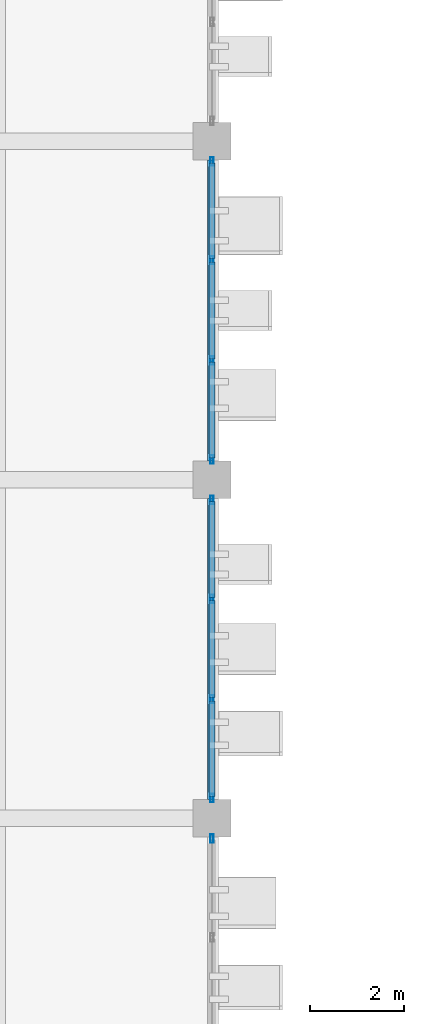
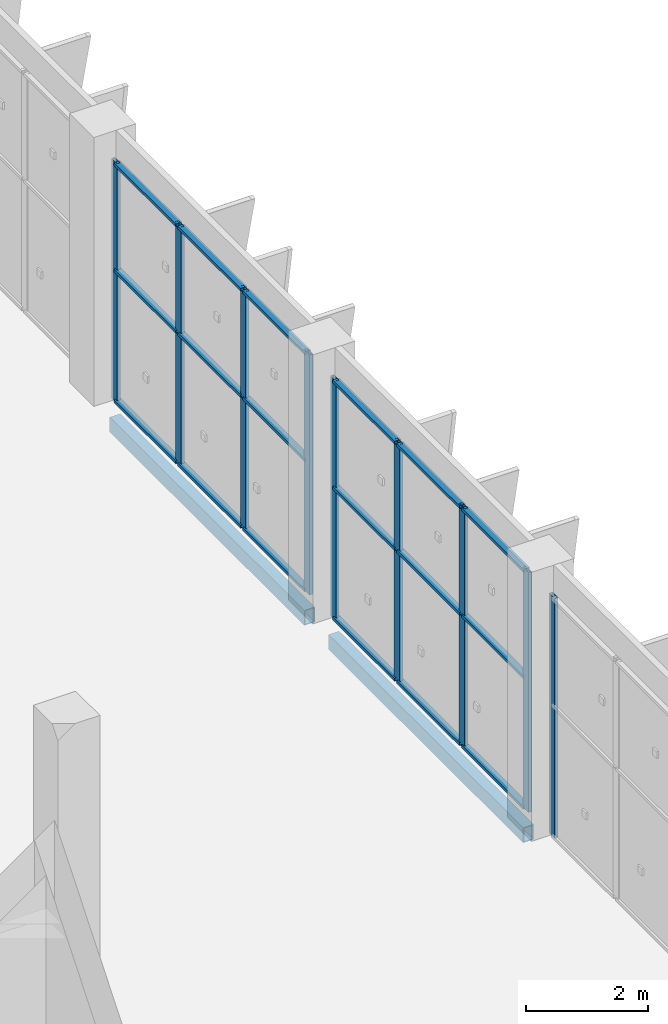
# One storey, part 54 of 137: 27 members, 2 beams, 3 elements without a shape of their own.
"""IFC4 building model written with IfcOpenShell, lengths in metres."""

from ifc_helpers import new_model, si_unit, direction, frame, origin, origin_2d, place, context, subcontext, project, spatial, hollow_rectangle, extrude, material, layer, layer_set, material_profile, profile_set, type_object, element, aggregate, save


model = new_model("IFC4")

# Units and contexts
model_context = context("Model", 3, precision=1e-05, world=origin(), true_north=direction((0.0, 1.0)))
body_context = subcontext(model_context, "Body", "Model", "MODEL_VIEW")
ifc_project = project(units=[si_unit("LENGTHUNIT", "METRE"), si_unit("AREAUNIT", "SQUARE_METRE"), si_unit("VOLUMEUNIT", "CUBIC_METRE"), si_unit("PLANEANGLEUNIT", "RADIAN"), si_unit("MASSUNIT", "GRAM", prefix="KILO")], contexts=[model_context])

# Site, building, storey
site_placement = place(None, origin())
site = spatial("IfcSite", under=ifc_project, at=site_placement, CompositionType="ELEMENT")
building_placement = place(site_placement, origin())
building = spatial("IfcBuilding", under=site, at=building_placement, Name="Celestram Park Convention Centre", CompositionType="ELEMENT")
storey_placement = place(building_placement, origin())
storey = spatial("IfcBuildingStorey", under=building, at=storey_placement, Name="L00", CompositionType="ELEMENT", Elevation=0.0)

# Curtain wall, members
ifc_material_1 = material(Name="Anodised Aluminium Alloy 6063-T6", Category="aluminium")
ifc_layer = layer(ifc_material_1, 0.179931640625)
ifc_layer_set = layer_set([ifc_layer], Name="Anodised Aluminium Alloy 6063-T6")
curtain_wall_type = type_object("IfcCurtainWallType", Name="ARC-CW-640X482", PredefinedType="NOTDEFINED", material=ifc_layer_set)
curtain_wall_1_placement = place(storey_placement, origin())
curtain_wall_1 = element("IfcCurtainWall", 1, at=curtain_wall_1_placement, inside=storey, type_object=curtain_wall_type, Name="Unitised curtain wall CU-L00-012", PredefinedType="NOTDEFINED")
ifc_material_profile_1 = material_profile(ifc_material_1, hollow_rectangle(XDim=0.06494140625, YDim=0.179931640625, WallThickness=0.00390625, at=origin_2d()), Name="ALU65X180X4")
ifc_profile_set_1 = profile_set([ifc_material_profile_1], Name="Anodised Aluminium Alloy 6063-T6")
member_type_1 = type_object("IfcMemberType", Name="ARC-CWM-150", PredefinedType="MULLION", material=ifc_profile_set_1)
member_1_placement = place(storey_placement, frame((144.0, 78.76953125, 0.0), z_axis=(0.0, 0.0, 1.0), x_axis=(1.0, 0.0, 0.0)))
member_1 = element("IfcMember", 2, at=member_1_placement, type_object=member_type_1, Name="CW-64X48 mullion 1", PredefinedType="MULLION", context=body_context, shape_type="SweptSolid", body=[
    extrude(hollow_rectangle(XDim=0.06494140625, YDim=0.179931640625, WallThickness=0.00390625, at=origin_2d()), origin(), (0.0, 0.0, 1.0), 4.820068359375),
])
member_2_placement = place(storey_placement, frame((144.0, 76.667236328125, 0.0), z_axis=(0.0, 0.0, 1.0), x_axis=(1.0, 0.0, 0.0)))
member_2 = element("IfcMember", 3, at=member_2_placement, type_object=member_type_1, Name="CW-64X48 mullion 2", PredefinedType="MULLION", context=body_context, shape_type="SweptSolid", body=[
    extrude(hollow_rectangle(XDim=0.06494140625, YDim=0.179931640625, WallThickness=0.00390625, at=origin_2d()), origin(), (0.0, 0.0, 1.0), 4.820068359375),
])
member_3_placement = place(storey_placement, frame((144.0, 74.53271484375, 0.0), z_axis=(0.0, 0.0, 1.0), x_axis=(1.0, 0.0, 0.0)))
member_3 = element("IfcMember", 4, at=member_3_placement, type_object=member_type_1, Name="CW-64X48 mullion 3", PredefinedType="MULLION", context=body_context, shape_type="SweptSolid", body=[
    extrude(hollow_rectangle(XDim=0.06494140625, YDim=0.179931640625, WallThickness=0.00390625, at=origin_2d()), origin(), (0.0, 0.0, 1.0), 4.820068359375),
])
member_4_placement = place(storey_placement, frame((144.0, 72.430419921875, 0.0), z_axis=(0.0, 0.0, 1.0), x_axis=(1.0, 0.0, 0.0)))
member_4 = element("IfcMember", 5, at=member_4_placement, type_object=member_type_1, Name="CW-64X48 mullion 4", PredefinedType="MULLION", context=body_context, shape_type="SweptSolid", body=[
    extrude(hollow_rectangle(XDim=0.06494140625, YDim=0.179931640625, WallThickness=0.00390625, at=origin_2d()), origin(), (0.0, 0.0, 1.0), 4.820068359375),
])

curtain_wall_2_placement = place(storey_placement, origin())
curtain_wall_2 = element("IfcCurtainWall", 6, at=curtain_wall_2_placement, inside=storey, type_object=curtain_wall_type, Name="Unitised curtain wall CU-L00-013", PredefinedType="NOTDEFINED")
member_5_placement = place(storey_placement, frame((144.0, 71.569580078125, 0.0), z_axis=(0.0, 0.0, 1.0), x_axis=(1.0, 0.0, 0.0)))
member_5 = element("IfcMember", 7, at=member_5_placement, type_object=member_type_1, Name="CW-64X48 mullion 1", PredefinedType="MULLION", context=body_context, shape_type="SweptSolid", body=[
    extrude(hollow_rectangle(XDim=0.06494140625, YDim=0.179931640625, WallThickness=0.00390625, at=origin_2d()), origin(), (0.0, 0.0, 1.0), 4.820068359375),
])
member_6_placement = place(storey_placement, frame((144.0, 69.46728515625, 0.0), z_axis=(0.0, 0.0, 1.0), x_axis=(1.0, 0.0, 0.0)))
member_6 = element("IfcMember", 8, at=member_6_placement, type_object=member_type_1, Name="CW-64X48 mullion 2", PredefinedType="MULLION", context=body_context, shape_type="SweptSolid", body=[
    extrude(hollow_rectangle(XDim=0.06494140625, YDim=0.179931640625, WallThickness=0.00390625, at=origin_2d()), origin(), (0.0, 0.0, 1.0), 4.820068359375),
])
member_7_placement = place(storey_placement, frame((144.0, 67.332763671875, 0.0), z_axis=(0.0, 0.0, 1.0), x_axis=(1.0, 0.0, 0.0)))
member_7 = element("IfcMember", 9, at=member_7_placement, type_object=member_type_1, Name="CW-64X48 mullion 3", PredefinedType="MULLION", context=body_context, shape_type="SweptSolid", body=[
    extrude(hollow_rectangle(XDim=0.06494140625, YDim=0.179931640625, WallThickness=0.00390625, at=origin_2d()), origin(), (0.0, 0.0, 1.0), 4.820068359375),
])
member_8_placement = place(storey_placement, frame((144.0, 65.23046875, 0.0), z_axis=(0.0, 0.0, 1.0), x_axis=(1.0, 0.0, 0.0)))
member_8 = element("IfcMember", 10, at=member_8_placement, type_object=member_type_1, Name="CW-64X48 mullion 4", PredefinedType="MULLION", context=body_context, shape_type="SweptSolid", body=[
    extrude(hollow_rectangle(XDim=0.06494140625, YDim=0.179931640625, WallThickness=0.00390625, at=origin_2d()), origin(), (0.0, 0.0, 1.0), 4.820068359375),
])

# Curtain wall, member
curtain_wall_3_placement = place(storey_placement, origin())
curtain_wall_3 = element("IfcCurtainWall", 11, at=curtain_wall_3_placement, inside=storey, type_object=curtain_wall_type, Name="Unitised curtain wall CU-L00-014", PredefinedType="NOTDEFINED")
member_9_placement = place(storey_placement, frame((144.0, 64.369384765625, 0.0), z_axis=(0.0, 0.0, 1.0), x_axis=(1.0, 0.0, 0.0)))
member_9 = element("IfcMember", 12, at=member_9_placement, type_object=member_type_1, Name="CW-64X48 mullion 1", PredefinedType="MULLION", context=body_context, shape_type="SweptSolid", body=[
    extrude(hollow_rectangle(XDim=0.06494140625, YDim=0.179931640625, WallThickness=0.00390625, at=origin_2d()), origin(), (0.0, 0.0, 1.0), 4.820068359375),
])
aggregate(curtain_wall_3, [member_9])

# Member
ifc_material_profile_2 = material_profile(ifc_material_1, hollow_rectangle(XDim=0.1201171875, YDim=0.06005859375, WallThickness=0.0029296875, at=origin_2d()), Name="ALU120X60X3")
ifc_profile_set_2 = profile_set([ifc_material_profile_2], Name="Anodised Aluminium Alloy 6063-T6")
member_type_2 = type_object("IfcMemberType", Name="ARC-CWT-120", PredefinedType="USERDEFINED", material=ifc_profile_set_2)
member_10_placement = place(storey_placement, frame((144.0, 78.737060546875, 0.030029296875), z_axis=(0.0, -1.0, 0.0), x_axis=(1.0, 0.0, 0.0)))
member_10 = element("IfcMember", 13, at=member_10_placement, type_object=member_type_2, Name="CW-64X48 transom 1.1", ObjectType="TRANSOM", PredefinedType="USERDEFINED", context=body_context, shape_type="SweptSolid", body=[
    extrude(hollow_rectangle(XDim=0.1201171875, YDim=0.06005859375, WallThickness=0.0029296875, at=origin_2d()), origin(), (0.0, 0.0, 1.0), 2.037109375),
])

member_11_placement = place(storey_placement, frame((144.0, 78.737060546875, 2.64990234375), z_axis=(0.0, -1.0, 0.0), x_axis=(1.0, 0.0, 0.0)))
member_11 = element("IfcMember", 14, at=member_11_placement, type_object=member_type_2, Name="CW-64X48 transom 1.2", ObjectType="TRANSOM", PredefinedType="USERDEFINED", context=body_context, shape_type="SweptSolid", body=[
    extrude(hollow_rectangle(XDim=0.1201171875, YDim=0.06005859375, WallThickness=0.0029296875, at=origin_2d()), origin(), (0.0, 0.0, 1.0), 2.037109375),
])

member_12_placement = place(storey_placement, frame((144.0, 78.737060546875, 4.7900390625), z_axis=(0.0, -1.0, 0.0), x_axis=(1.0, 0.0, 0.0)))
member_12 = element("IfcMember", 15, at=member_12_placement, type_object=member_type_2, Name="CW-64X48 transom 1.3", ObjectType="TRANSOM", PredefinedType="USERDEFINED", context=body_context, shape_type="SweptSolid", body=[
    extrude(hollow_rectangle(XDim=0.1201171875, YDim=0.06005859375, WallThickness=0.0029296875, at=origin_2d()), origin(), (0.0, 0.0, 1.0), 2.037109375),
])

member_13_placement = place(storey_placement, frame((144.0, 76.634765625, 0.030029296875), z_axis=(0.0, -1.0, 0.0), x_axis=(1.0, 0.0, 0.0)))
member_13 = element("IfcMember", 16, at=member_13_placement, type_object=member_type_2, Name="CW-64X48 transom 2.1", ObjectType="TRANSOM", PredefinedType="USERDEFINED", context=body_context, shape_type="SweptSolid", body=[
    extrude(hollow_rectangle(XDim=0.1201171875, YDim=0.06005859375, WallThickness=0.0029296875, at=origin_2d()), origin(), (0.0, 0.0, 1.0), 2.069580078125),
])

member_14_placement = place(storey_placement, frame((144.0, 76.634765625, 2.64990234375), z_axis=(0.0, -1.0, 0.0), x_axis=(1.0, 0.0, 0.0)))
member_14 = element("IfcMember", 17, at=member_14_placement, type_object=member_type_2, Name="CW-64X48 transom 2.2", ObjectType="TRANSOM", PredefinedType="USERDEFINED", context=body_context, shape_type="SweptSolid", body=[
    extrude(hollow_rectangle(XDim=0.1201171875, YDim=0.06005859375, WallThickness=0.0029296875, at=origin_2d()), origin(), (0.0, 0.0, 1.0), 2.069580078125),
])

member_15_placement = place(storey_placement, frame((144.0, 76.634765625, 4.7900390625), z_axis=(0.0, -1.0, 0.0), x_axis=(1.0, 0.0, 0.0)))
member_15 = element("IfcMember", 18, at=member_15_placement, type_object=member_type_2, Name="CW-64X48 transom 2.3", ObjectType="TRANSOM", PredefinedType="USERDEFINED", context=body_context, shape_type="SweptSolid", body=[
    extrude(hollow_rectangle(XDim=0.1201171875, YDim=0.06005859375, WallThickness=0.0029296875, at=origin_2d()), origin(), (0.0, 0.0, 1.0), 2.069580078125),
])

member_16_placement = place(storey_placement, frame((144.0, 74.500244140625, 0.030029296875), z_axis=(0.0, -1.0, 0.0), x_axis=(1.0, 0.0, 0.0)))
member_16 = element("IfcMember", 19, at=member_16_placement, type_object=member_type_2, Name="CW-64X48 transom 3.1", ObjectType="TRANSOM", PredefinedType="USERDEFINED", context=body_context, shape_type="SweptSolid", body=[
    extrude(hollow_rectangle(XDim=0.1201171875, YDim=0.06005859375, WallThickness=0.0029296875, at=origin_2d()), origin(), (0.0, 0.0, 1.0), 2.037353515625),
])

member_17_placement = place(storey_placement, frame((144.0, 74.500244140625, 2.64990234375), z_axis=(0.0, -1.0, 0.0), x_axis=(1.0, 0.0, 0.0)))
member_17 = element("IfcMember", 20, at=member_17_placement, type_object=member_type_2, Name="CW-64X48 transom 3.2", ObjectType="TRANSOM", PredefinedType="USERDEFINED", context=body_context, shape_type="SweptSolid", body=[
    extrude(hollow_rectangle(XDim=0.1201171875, YDim=0.06005859375, WallThickness=0.0029296875, at=origin_2d()), origin(), (0.0, 0.0, 1.0), 2.037353515625),
])

member_18_placement = place(storey_placement, frame((144.0, 74.500244140625, 4.7900390625), z_axis=(0.0, -1.0, 0.0), x_axis=(1.0, 0.0, 0.0)))
member_18 = element("IfcMember", 21, at=member_18_placement, type_object=member_type_2, Name="CW-64X48 transom 3.3", ObjectType="TRANSOM", PredefinedType="USERDEFINED", context=body_context, shape_type="SweptSolid", body=[
    extrude(hollow_rectangle(XDim=0.1201171875, YDim=0.06005859375, WallThickness=0.0029296875, at=origin_2d()), origin(), (0.0, 0.0, 1.0), 2.037353515625),
])

aggregate(curtain_wall_1, [member_1, member_2, member_3, member_4, member_10, member_11, member_12, member_13, member_14, member_15, member_16, member_17, member_18])

member_19_placement = place(storey_placement, frame((144.0, 71.537109375, 0.030029296875), z_axis=(0.0, -1.0, 0.0), x_axis=(1.0, 0.0, 0.0)))
member_19 = element("IfcMember", 22, at=member_19_placement, type_object=member_type_2, Name="CW-64X48 transom 1.1", ObjectType="TRANSOM", PredefinedType="USERDEFINED", context=body_context, shape_type="SweptSolid", body=[
    extrude(hollow_rectangle(XDim=0.1201171875, YDim=0.06005859375, WallThickness=0.0029296875, at=origin_2d()), origin(), (0.0, 0.0, 1.0), 2.037353515625),
])

member_20_placement = place(storey_placement, frame((144.0, 71.537109375, 2.64990234375), z_axis=(0.0, -1.0, 0.0), x_axis=(1.0, 0.0, 0.0)))
member_20 = element("IfcMember", 23, at=member_20_placement, type_object=member_type_2, Name="CW-64X48 transom 1.2", ObjectType="TRANSOM", PredefinedType="USERDEFINED", context=body_context, shape_type="SweptSolid", body=[
    extrude(hollow_rectangle(XDim=0.1201171875, YDim=0.06005859375, WallThickness=0.0029296875, at=origin_2d()), origin(), (0.0, 0.0, 1.0), 2.037353515625),
])

member_21_placement = place(storey_placement, frame((144.0, 71.537109375, 4.7900390625), z_axis=(0.0, -1.0, 0.0), x_axis=(1.0, 0.0, 0.0)))
member_21 = element("IfcMember", 24, at=member_21_placement, type_object=member_type_2, Name="CW-64X48 transom 1.3", ObjectType="TRANSOM", PredefinedType="USERDEFINED", context=body_context, shape_type="SweptSolid", body=[
    extrude(hollow_rectangle(XDim=0.1201171875, YDim=0.06005859375, WallThickness=0.0029296875, at=origin_2d()), origin(), (0.0, 0.0, 1.0), 2.037353515625),
])

member_22_placement = place(storey_placement, frame((144.0, 69.434814453125, 0.030029296875), z_axis=(0.0, -1.0, 0.0), x_axis=(1.0, 0.0, 0.0)))
member_22 = element("IfcMember", 25, at=member_22_placement, type_object=member_type_2, Name="CW-64X48 transom 2.1", ObjectType="TRANSOM", PredefinedType="USERDEFINED", context=body_context, shape_type="SweptSolid", body=[
    extrude(hollow_rectangle(XDim=0.1201171875, YDim=0.06005859375, WallThickness=0.0029296875, at=origin_2d()), origin(), (0.0, 0.0, 1.0), 2.069580078125),
])

member_23_placement = place(storey_placement, frame((144.0, 69.434814453125, 2.64990234375), z_axis=(0.0, -1.0, 0.0), x_axis=(1.0, 0.0, 0.0)))
member_23 = element("IfcMember", 26, at=member_23_placement, type_object=member_type_2, Name="CW-64X48 transom 2.2", ObjectType="TRANSOM", PredefinedType="USERDEFINED", context=body_context, shape_type="SweptSolid", body=[
    extrude(hollow_rectangle(XDim=0.1201171875, YDim=0.06005859375, WallThickness=0.0029296875, at=origin_2d()), origin(), (0.0, 0.0, 1.0), 2.069580078125),
])

member_24_placement = place(storey_placement, frame((144.0, 69.434814453125, 4.7900390625), z_axis=(0.0, -1.0, 0.0), x_axis=(1.0, 0.0, 0.0)))
member_24 = element("IfcMember", 27, at=member_24_placement, type_object=member_type_2, Name="CW-64X48 transom 2.3", ObjectType="TRANSOM", PredefinedType="USERDEFINED", context=body_context, shape_type="SweptSolid", body=[
    extrude(hollow_rectangle(XDim=0.1201171875, YDim=0.06005859375, WallThickness=0.0029296875, at=origin_2d()), origin(), (0.0, 0.0, 1.0), 2.069580078125),
])

member_25_placement = place(storey_placement, frame((144.0, 67.300048828125, 0.030029296875), z_axis=(0.0, -1.0, 0.0), x_axis=(1.0, 0.0, 0.0)))
member_25 = element("IfcMember", 28, at=member_25_placement, type_object=member_type_2, Name="CW-64X48 transom 3.1", ObjectType="TRANSOM", PredefinedType="USERDEFINED", context=body_context, shape_type="SweptSolid", body=[
    extrude(hollow_rectangle(XDim=0.1201171875, YDim=0.06005859375, WallThickness=0.0029296875, at=origin_2d()), origin(), (0.0, 0.0, 1.0), 2.037109375),
])

member_26_placement = place(storey_placement, frame((144.0, 67.300048828125, 2.64990234375), z_axis=(0.0, -1.0, 0.0), x_axis=(1.0, 0.0, 0.0)))
member_26 = element("IfcMember", 29, at=member_26_placement, type_object=member_type_2, Name="CW-64X48 transom 3.2", ObjectType="TRANSOM", PredefinedType="USERDEFINED", context=body_context, shape_type="SweptSolid", body=[
    extrude(hollow_rectangle(XDim=0.1201171875, YDim=0.06005859375, WallThickness=0.0029296875, at=origin_2d()), origin(), (0.0, 0.0, 1.0), 2.037109375),
])

member_27_placement = place(storey_placement, frame((144.0, 67.300048828125, 4.7900390625), z_axis=(0.0, -1.0, 0.0), x_axis=(1.0, 0.0, 0.0)))
member_27 = element("IfcMember", 30, at=member_27_placement, type_object=member_type_2, Name="CW-64X48 transom 3.3", ObjectType="TRANSOM", PredefinedType="USERDEFINED", context=body_context, shape_type="SweptSolid", body=[
    extrude(hollow_rectangle(XDim=0.1201171875, YDim=0.06005859375, WallThickness=0.0029296875, at=origin_2d()), origin(), (0.0, 0.0, 1.0), 2.037109375),
])

aggregate(curtain_wall_2, [member_5, member_6, member_7, member_8, member_19, member_20, member_21, member_22, member_23, member_24, member_25, member_26, member_27])

# Beams
ifc_material_2 = material(Name="Steel ASTM A500 Grade C", Category="steel")
ifc_material_profile_3 = material_profile(ifc_material_2, hollow_rectangle(XDim=0.199951171875, YDim=0.300048828125, WallThickness=0.011962890625, at=origin_2d()), Name="HSS300X200X12")
ifc_profile_set_3 = profile_set([ifc_material_profile_3], Name="Steel ASTM A500 Grade C")
beam_type = type_object("IfcBeamType", Name="STR-SPN-HSS300X200", PredefinedType="SPANDREL", material=ifc_profile_set_3)
for number, where, z_axis, x_axis, name in (
    (31, (144.0, 65.197998046875, -0.469970703125), (0.0, 1.0, 0.0), (-1.0, 0.0, 0.0), "Primary Y-girder BG-L00-0674"),
    (32, (144.0, 72.39794921875, -0.469970703125), (0.0, 1.0, 0.0), (-1.0, 0.0, 0.0), "Primary Y-girder BG-L00-0675"),
):
    element("IfcBeam", number, at=place(storey_placement, frame(where, z_axis=z_axis, x_axis=x_axis)), inside=storey, type_object=beam_type, Name=name, PredefinedType="SPANDREL", context=body_context, shape_type="SweptSolid", body=[
        extrude(hollow_rectangle(XDim=0.199951171875, YDim=0.300048828125, WallThickness=0.011962890625, at=origin_2d()), origin(), (0.0, 0.0, 1.0), 6.404052734375),
    ])

save(model, "model.ifc")
